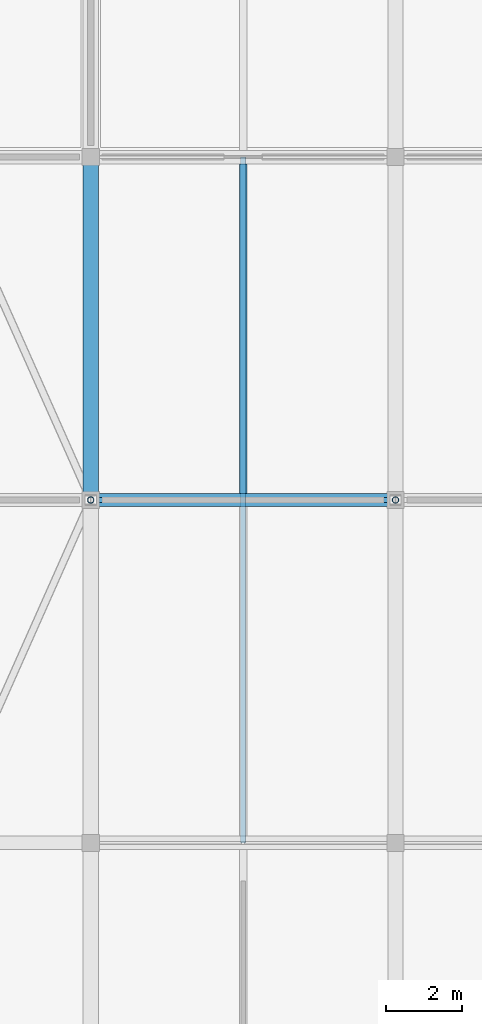
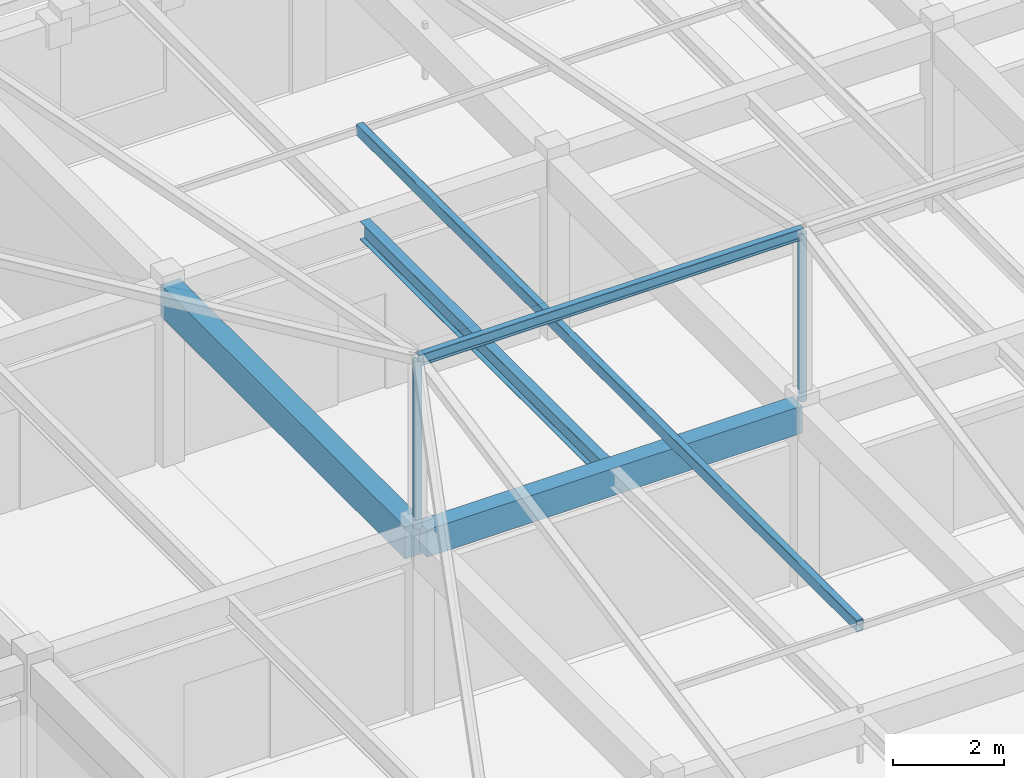
# One storey, part 72 of 126: 4 beams, 3 members.
"""IFC4 building model written with IfcOpenShell, lengths in metres."""

from ifc_helpers import new_model, si_unit, direction, frame, origin, origin_2d, place, context, subcontext, project, spatial, rectangle, hollow_rectangle, hollow_circle, i_section, extrude, material, material_profile, profile_set, type_object, element, save


model = new_model("IFC4")

# Units and contexts
model_context = context("Model", 3, precision=1e-05, world=origin(), true_north=direction((0.0, 1.0)))
body_context = subcontext(model_context, "Body", "Model", "MODEL_VIEW")
ifc_project = project(units=[si_unit("LENGTHUNIT", "METRE"), si_unit("AREAUNIT", "SQUARE_METRE"), si_unit("VOLUMEUNIT", "CUBIC_METRE"), si_unit("PLANEANGLEUNIT", "RADIAN"), si_unit("MASSUNIT", "GRAM", prefix="KILO")], contexts=[model_context])

# Site, building, storey
site_placement = place(None, origin())
site = spatial("IfcSite", under=ifc_project, at=site_placement, CompositionType="ELEMENT")
building_placement = place(site_placement, origin())
building = spatial("IfcBuilding", under=site, at=building_placement, Name="Varnabhumi Central Station", CompositionType="ELEMENT")
storey_placement = place(building_placement, frame((0.0, 0.0, 16.199951171875)))
storey = spatial("IfcBuildingStorey", under=building, at=storey_placement, Name="L03", CompositionType="ELEMENT", Elevation=16.199951171875)

# Beams
ifc_material_1 = material(Name="Structural steel E350", Category="steel")
ifc_material_profile_1 = material_profile(ifc_material_1, i_section(OverallWidth=0.125, OverallDepth=0.25, WebThickness=0.0068359375, FlangeThickness=0.012451171875, FilletRadius=0.012939453125, at=origin_2d()), Name="Structural steel E350", Category="steel")
ifc_profile_set_1 = profile_set([ifc_material_profile_1], Name="Structural steel E350")
beam_type_1 = type_object("IfcBeamType", Name="BM-PUR-ISMB250", PredefinedType="JOIST", material=ifc_profile_set_1)
beam_1_placement = place(storey_placement, frame((104.0, 98.0, 7.630126953125), z_axis=(1.0, 0.0, 0.0), x_axis=(0.0, 1.0, 0.0)))
element("IfcBeam", 1, at=beam_1_placement, inside=storey, type_object=beam_type_1, Name="Mission Roof Ridge Beam NW4-2", PredefinedType="JOIST", context=body_context, shape_type="SweptSolid", body=[
    extrude(i_section(OverallWidth=0.125, OverallDepth=0.25, WebThickness=0.0068359375, FlangeThickness=0.012451171875, FilletRadius=0.012939453125, at=origin_2d()), origin(), (0.0, 0.0, 1.0), 8.0),
])
ifc_material_2 = material(Name="Concrete M40", Category="concrete")
ifc_material_profile_2 = material_profile(ifc_material_2, rectangle(XDim=0.35009765625, YDim=0.60009765625, at=origin_2d()), Name="Concrete M40", Category="concrete")
ifc_profile_set_2 = profile_set([ifc_material_profile_2], Name="Concrete M40")
beam_type_2 = type_object("IfcBeamType", Name="BM-RC-350x600", PredefinedType="BEAM", material=ifc_profile_set_2)
beam_2_placement = place(storey_placement, frame((104.10009765625, 98.0, 3.650146484375), z_axis=(1.0, 0.0, 0.0), x_axis=(0.0, 1.0, 0.0)))
element("IfcBeam", 2, at=beam_2_placement, inside=storey, type_object=beam_type_2, Name="Beam L03-M:14-15", PredefinedType="BEAM", context=body_context, shape_type="SweptSolid", body=[
    extrude(rectangle(XDim=0.35009765625, YDim=0.60009765625, at=origin_2d()), origin(), (0.0, 0.0, 1.0), 7.7998046875),
])
ifc_material_profile_3 = material_profile(ifc_material_2, rectangle(XDim=0.39990234375, YDim=0.699951171875, at=origin_2d()), Name="Concrete M40", Category="concrete")
ifc_profile_set_3 = profile_set([ifc_material_profile_3], Name="Concrete M40")
beam_type_3 = type_object("IfcBeamType", Name="BM-RC-700x400", PredefinedType="BEAM", material=ifc_profile_set_3)
beam_3_placement = place(storey_placement, frame((104.0, 98.10009765625, 3.60009765625), z_axis=(0.0, 1.0, 0.0), x_axis=(-1.0, 0.0, 0.0)))
element("IfcBeam", 3, at=beam_3_placement, inside=storey, type_object=beam_type_3, Name="Beam L03-14:M-N", PredefinedType="BEAM", context=body_context, shape_type="SweptSolid", body=[
    extrude(rectangle(XDim=0.39990234375, YDim=0.699951171875, at=origin_2d()), origin(), (0.0, 0.0, 1.0), 8.7998046875),
])
ifc_material_profile_4 = material_profile(ifc_material_1, i_section(OverallWidth=0.199951171875, OverallDepth=0.39990234375, WebThickness=0.008544921875, FlangeThickness=0.012939453125, FilletRadius=0.012939453125, at=origin_2d()), Name="Structural steel E350", Category="steel")
ifc_profile_set_4 = profile_set([ifc_material_profile_4], Name="Structural steel E350")
beam_type_4 = type_object("IfcBeamType", Name="BM-SEC-ISWB400", PredefinedType="JOIST", material=ifc_profile_set_4)
beam_4_placement = place(storey_placement, frame((108.0, 98.175048828125, 3.75), z_axis=(0.0, 1.0, 0.0), x_axis=(-1.0, 0.0, 0.0)))
element("IfcBeam", 4, at=beam_4_placement, inside=storey, type_object=beam_type_4, Name="Secondary Joist L03-14/15:M-N", PredefinedType="JOIST", context=body_context, shape_type="SweptSolid", body=[
    extrude(i_section(OverallWidth=0.199951171875, OverallDepth=0.39990234375, WebThickness=0.008544921875, FlangeThickness=0.012939453125, FilletRadius=0.012939453125, at=origin_2d()), origin(), (0.0, 0.0, 1.0), 8.64990234375),
])

# Members
ifc_material_profile_5 = material_profile(ifc_material_1, hollow_rectangle(XDim=0.14990234375, YDim=0.25, WallThickness=0.010009765625, InnerFilletRadius=0.010009765625, OuterFilletRadius=0.02001953125, at=origin_2d()), Name="Structural steel E350", Category="steel")
ifc_profile_set_5 = profile_set([ifc_material_profile_5], Name="Structural steel E350")
member_type_1 = type_object("IfcMemberType", Name="MBR-COLLAR-RHS", PredefinedType="COLLAR", material=ifc_profile_set_5)
member_placement = place(storey_placement, frame((108.0, 89.0, 5.844970703125), z_axis=(0.0, 1.0, 0.0), x_axis=(-1.0, 0.0, 0.0)))
element("IfcMember", 5, at=member_placement, inside=storey, type_object=member_type_1, Name="Mission Roof Collar Tie NW4-2", PredefinedType="COLLAR", context=body_context, shape_type="SweptSolid", body=[
    extrude(hollow_rectangle(XDim=0.14990234375, YDim=0.25, WallThickness=0.010009765625, InnerFilletRadius=0.010009765625, OuterFilletRadius=0.02001953125, at=origin_2d()), origin(), (0.0, 0.0, 1.0), 18.0),
])
ifc_material_profile_6 = material_profile(ifc_material_1, hollow_circle(Radius=0.084228515625, WallThickness=0.008056640625, at=origin_2d()), Name="Structural steel E350", Category="steel")
ifc_profile_set_6 = profile_set([ifc_material_profile_6], Name="Structural steel E350")
member_type_2 = type_object("IfcMemberType", Name="MBR-STRUT-CHS168", PredefinedType="STRUT", material=ifc_profile_set_6)
for number, where, z_axis, x_axis, name in (
    (6, (104.0, 98.0, 3.949951171875), (0.0, 0.0, 1.0), (1.0, 0.0, 0.0), "Mission Roof King Strut NW4-2"),
    (7, (112.0, 98.0, 3.949951171875), (0.0, 0.0, 1.0), (1.0, 0.0, 0.0), "Mission Roof King Strut NW4-3"),
):
    element("IfcMember", number, at=place(storey_placement, frame(where, z_axis=z_axis, x_axis=x_axis)), inside=storey, type_object=member_type_2, Name=name, PredefinedType="STRUT", context=body_context, shape_type="SweptSolid", body=[
        extrude(hollow_circle(Radius=0.084228515625, WallThickness=0.008056640625, at=origin_2d()), origin(), (0.0, 0.0, 1.0), 3.68017578125),
    ])

save(model, "model.ifc")
